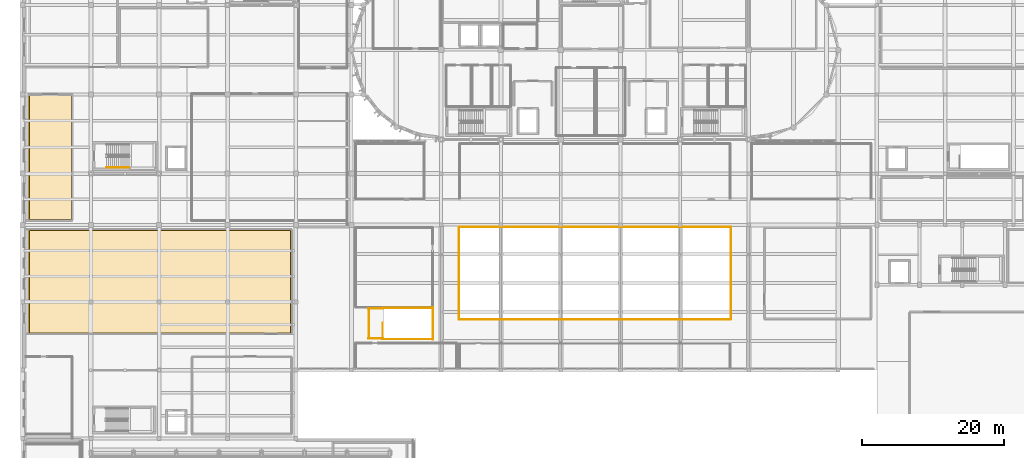
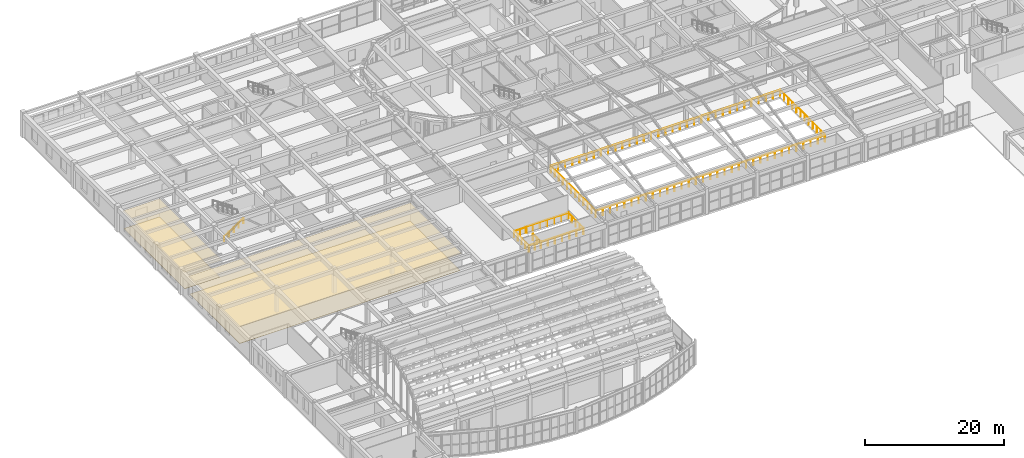
# One storey, part 82 of 91: 10 railings, 4 coverings.
"""IFC4 building model written with IfcOpenShell, lengths in metres."""

import ifcopenshell
import ifcopenshell.guid

model = None  # the IFC model being written
_history = None  # IfcOwnerHistory: only IFC2X3 demands one
_inside = {}  # id of a spatial element -> (the spatial element, [elements in it])
_under = {}  # id of a project, library or spatial element -> (it, [spatial elements below it])
_declared = {}  # id of a project -> (the project, [libraries it declares])
_typed = {}  # id of a type object -> (the type object, [elements of that type])
_made_of = {}  # id of a material, layer set ... -> (it, [elements and type objects made of it])


def new_model(schema):
    """Start an empty IFC model of exactly this schema.

    Asked for "IFC4X3", IfcOpenShell would pick the latest addendum, in which some entities
    have other attributes; the version numbers below select the first issue.
    IFC2X3 requires an IfcOwnerHistory on every rooted entity: one is made here for all.
    """
    global model, _history
    if schema == "IFC4X3":
        model = ifcopenshell.file(schema_version=(4, 3, 0, 0))
    else:
        model = ifcopenshell.file(schema=schema)
    _inside.clear()
    _under.clear()
    _declared.clear()
    _typed.clear()
    _made_of.clear()
    _history = None
    if model.schema == "IFC2X3":
        org = make("IfcOrganization", Name="unknown")
        user = make(
            "IfcPersonAndOrganization",
            ThePerson=make("IfcPerson", FamilyName="unknown"),
            TheOrganization=org,
        )
        app = make(
            "IfcApplication",
            ApplicationDeveloper=org,
            Version="unknown",
            ApplicationFullName="unknown",
            ApplicationIdentifier="unknown",
        )
        _history = make(
            "IfcOwnerHistory",
            OwningUser=user,
            OwningApplication=app,
            ChangeAction="ADDED",
            CreationDate=0,
        )
    return model


def make(cls, **values):
    """One entity of the class cls with the attributes given. An attribute that is None is left unset."""
    return model.create_entity(
        cls, **{name: value for name, value in values.items() if value is not None}
    )


def rooted(cls, **values):
    """An entity with a GlobalId (a new one), such as an element, a storey or a relation."""
    return make(cls, GlobalId=ifcopenshell.guid.new(), OwnerHistory=_history, **values)


def si_unit(unit_type, name, prefix=None):
    """IfcSIUnit, for example si_unit("LENGTHUNIT", "METRE", prefix="MILLI")."""
    return make("IfcSIUnit", UnitType=unit_type, Prefix=prefix, Name=name)


def assignment(units):
    """IfcUnitAssignment: the units of a project."""
    return None if units is None else make("IfcUnitAssignment", Units=units)


def point(xyz):
    """IfcCartesianPoint."""
    return None if xyz is None else make("IfcCartesianPoint", Coordinates=xyz)


def direction(xyz):
    """IfcDirection."""
    return None if xyz is None else make("IfcDirection", DirectionRatios=xyz)


def frame(location, z_axis=None, x_axis=None):
    """IfcAxis2Placement3D, a coordinate frame: its origin and axes. An axis left out is left unset."""
    return make(
        "IfcAxis2Placement3D",
        Location=point(location),
        Axis=direction(z_axis),
        RefDirection=direction(x_axis),
    )


def frame_2d(location, x_axis=None):
    """IfcAxis2Placement2D, a coordinate frame in the plane: its origin and x axis."""
    return make(
        "IfcAxis2Placement2D", Location=point(location), RefDirection=direction(x_axis)
    )


def origin():
    """The frame at (0, 0, 0) with its axes left unset."""
    return frame((0.0, 0.0, 0.0))


def origin_2d():
    """The frame at (0, 0) in the plane with its x axis left unset."""
    return frame_2d((0.0, 0.0))


def place(relative_to, where):
    """IfcLocalPlacement: puts the frame where relative to a parent placement (None: the world)."""
    return make(
        "IfcLocalPlacement", PlacementRelTo=relative_to, RelativePlacement=where
    )


def context(
    kind, dimensions, precision=None, world=None, true_north=None, identifier=None
):
    """IfcGeometricRepresentationContext, for example the 3D "Model" context."""
    return make(
        "IfcGeometricRepresentationContext",
        ContextIdentifier=identifier,
        ContextType=kind,
        CoordinateSpaceDimension=dimensions,
        Precision=precision,
        WorldCoordinateSystem=world,
        TrueNorth=true_north,
    )


def subcontext(parent, identifier, kind, view, scale=None):
    """IfcGeometricRepresentationSubContext, for example "Body" below "Model"."""
    return make(
        "IfcGeometricRepresentationSubContext",
        ContextIdentifier=identifier,
        ContextType=kind,
        ParentContext=parent,
        TargetScale=scale,
        TargetView=view,
    )


def project(units=None, contexts=None):
    """IfcProject with its units and contexts."""
    return rooted(
        "IfcProject",
        Name="project",
        RepresentationContexts=contexts,
        UnitsInContext=assignment(units),
    )


def spatial(cls, under=None, at=None, **own):
    """A site, building, storey or space (cls), placed at a placement, below another one or the project."""
    s = rooted(cls, ObjectPlacement=at, **own)
    if under is not None:
        _under.setdefault(under.id(), (under, []))[1].append(s)
    return s


def polyline(points):
    """IfcPolyline through the points."""
    return make("IfcPolyline", Points=[point(p) for p in points])


def profile(cls, at=None, kind="AREA", **sizes):
    """A parametric profile (cls). Its sizes go by their IFC names, for example OverallWidth=200.0."""
    return make(cls, ProfileType=kind, Position=at, **sizes)


def circle(**sizes):
    """IfcCircleProfileDef."""
    return profile("IfcCircleProfileDef", **sizes)


def outline(outer, holes=None, kind="AREA"):
    """IfcArbitraryClosedProfileDef: a profile drawn as a closed curve; with holes, ...WithVoids."""
    if holes is None:
        return make("IfcArbitraryClosedProfileDef", ProfileType=kind, OuterCurve=outer)
    return make(
        "IfcArbitraryProfileDefWithVoids",
        ProfileType=kind,
        OuterCurve=outer,
        InnerCurves=holes,
    )


def extrude(swept, where, along, depth):
    """IfcExtrudedAreaSolid: the profile swept, set in the frame where, extruded along a direction by depth."""
    return make(
        "IfcExtrudedAreaSolid",
        SweptArea=swept,
        Position=where,
        ExtrudedDirection=direction(along),
        Depth=depth,
    )


def shape(context_of_items, identifier, shape_type, items):
    """IfcShapeRepresentation: the items that make up one representation, for example the "Body"."""
    return make(
        "IfcShapeRepresentation",
        ContextOfItems=context_of_items,
        RepresentationIdentifier=identifier,
        RepresentationType=shape_type,
        Items=items,
    )


def material(Name=None, Category=None):
    """IfcMaterial."""
    return make("IfcMaterial", Name=Name, Category=Category)


def layer(
    of_material, thickness, ventilated=None, Name=None, Category=None, Priority=None
):
    """IfcMaterialLayer: one layer of a wall or slab, of a material (None: an air gap)."""
    return make(
        "IfcMaterialLayer",
        Material=of_material,
        LayerThickness=thickness,
        IsVentilated=ventilated,
        Name=Name,
        Category=Category,
        Priority=Priority,
    )


def layer_set(layers, Name=None):
    """IfcMaterialLayerSet."""
    return make("IfcMaterialLayerSet", MaterialLayers=layers, LayerSetName=Name)


def made_of(thing, what):
    """Note that an element or type object is made of a material, layer set ...; save() writes the relation."""
    if what is not None:
        _made_of.setdefault(what.id(), (what, []))[1].append(thing)
    return thing


def type_object(cls, material=None, **own):
    """A type object (cls), such as IfcWallType, which elements share."""
    return made_of(rooted(cls, **own), material)


def element(
    cls,
    number,
    at=None,
    inside=None,
    cuts=None,
    type_object=None,
    material=None,
    context=None,
    identifier="Body",
    shape_type=None,
    held_by="IfcProductDefinitionShape",
    body=None,
    shapes=None,
    **own,
):
    """One element of the class cls, such as IfcWall. Its Tag is "e" and its number.

    at: its placement. inside: the storey or other place that contains it. cuts: it is an
    opening in that element (IfcRelVoidsElement). A single representation is given by context,
    identifier, shape_type and body (its items); several are given by shapes. held_by: the class
    of the entity that holds the representations. save() writes the other relations.
    """
    e = rooted(cls, Tag="e%d" % number, ObjectPlacement=at, **own)
    if body is not None:
        shapes = [shape(context, identifier, shape_type, body)]
    if shapes is not None:
        e.Representation = make(held_by, Representations=shapes)
    if inside is not None:
        _inside.setdefault(inside.id(), (inside, []))[1].append(e)
    if cuts is not None:
        rooted(
            "IfcRelVoidsElement", RelatingBuildingElement=cuts, RelatedOpeningElement=e
        )
    if type_object is not None:
        _typed.setdefault(type_object.id(), (type_object, []))[1].append(e)
    return made_of(e, material)


def aggregate(whole, parts):
    """IfcRelAggregates: a whole, such as a stair, and the parts it consists of."""
    return rooted("IfcRelAggregates", RelatingObject=whole, RelatedObjects=parts)


def save(model, path):
    """Write the relations noted so far, then the file.

    IfcRelAggregates (storeys below a building ...), IfcRelContainedInSpatialStructure (elements
    in a storey), IfcRelDefinesByType, IfcRelAssociatesMaterial and IfcRelDeclares: one each for
    every whole, place, type object, material and project.
    """
    for whole, parts in _under.values():
        aggregate(whole, parts)
    for where, things in _inside.values():
        rooted(
            "IfcRelContainedInSpatialStructure",
            RelatedElements=things,
            RelatingStructure=where,
        )
    for kind, things in _typed.values():
        rooted("IfcRelDefinesByType", RelatedObjects=things, RelatingType=kind)
    for what, things in _made_of.values():
        rooted("IfcRelAssociatesMaterial", RelatedObjects=things, RelatingMaterial=what)
    for by, libraries in _declared.values():
        rooted("IfcRelDeclares", RelatingContext=by, RelatedDefinitions=libraries)
    model.write(path)


model = new_model("IFC4")

# Units and contexts
model_context = context("Model", 3, precision=1e-05, world=origin(), true_north=direction((0.0, 1.0)))
body_context = subcontext(model_context, "Body", "Model", "MODEL_VIEW")
ifc_project = project(units=[si_unit("LENGTHUNIT", "METRE"), si_unit("AREAUNIT", "SQUARE_METRE"), si_unit("VOLUMEUNIT", "CUBIC_METRE"), si_unit("PLANEANGLEUNIT", "RADIAN"), si_unit("MASSUNIT", "GRAM", prefix="KILO")], contexts=[model_context])

# Site, building, storey
site_placement = place(None, origin())
site = spatial("IfcSite", under=ifc_project, at=site_placement, CompositionType="ELEMENT")
building_placement = place(site_placement, origin())
building = spatial("IfcBuilding", under=site, at=building_placement, Name="Tarnavel Promenade Courthouse", CompositionType="ELEMENT")
storey_placement = place(building_placement, frame((0.0, 0.0, 9.89990234375)))
storey = spatial("IfcBuildingStorey", under=building, at=storey_placement, Name="L03", CompositionType="ELEMENT", Elevation=9.89990234375)

# Railing
ifc_material_1 = material(Name="Brushed Bronze Tubular Stair Handrail")
railing_type_1 = type_object("IfcRailingType", Name="Brushed Bronze Tubular Stair Handrail (RL-HND-0900)", PredefinedType="HANDRAIL", material=ifc_material_1)
railing_1_placement = place(storey_placement, frame((11.780029296875, 75.25, 0.1875)))
element("IfcRailing", 1, at=railing_1_placement, inside=storey, type_object=railing_type_1, Name="L03 ST-04 stair handrail 1", PredefinedType="HANDRAIL", context=body_context, shape_type="SweptSolid", body=[
    extrude(circle(Radius=0.02392578125, at=origin_2d()), frame((0.0, 0.0, 0.8759765625), z_axis=(0.839759782654, 0.0, 0.542958108362), x_axis=(0.0, 1.0, 0.0)), (0.0, 0.0, 1.0), 3.798583984375),
    extrude(circle(Radius=0.02099609375, at=origin_2d()), origin(), (0.0, 0.0, 1.0), 0.851806640625),
    extrude(circle(Radius=0.02099609375, at=origin_2d()), frame((0.79736328125, 0.0, 0.515625)), (0.0, 0.0, 1.0), 0.851806640625),
    extrude(circle(Radius=0.02099609375, at=origin_2d()), frame((1.594970703125, 0.0, 1.03125)), (0.0, 0.0, 1.0), 0.851806640625),
    extrude(circle(Radius=0.02099609375, at=origin_2d()), frame((2.392578125, 0.0, 1.546875)), (0.0, 0.0, 1.0), 0.851806640625),
    extrude(circle(Radius=0.02099609375, at=origin_2d()), frame((3.18994140625, 0.0, 2.0625)), (0.0, 0.0, 1.0), 0.851806640625),
])

# Coverings
ifc_material_2 = material(Name="Engineered Smoked Oak Courtroom & Chambers Parquet")
ifc_layer_1 = layer(ifc_material_2, 0.031982421875)
ifc_layer_set_1 = layer_set([ifc_layer_1], Name="Engineered Smoked Oak Courtroom & Chambers Parquet")
covering_type_1 = type_object("IfcCoveringType", Name="Engineered Smoked Oak Courtroom & Chambers Parquet (COV-FLR-OAK-32)", PredefinedType="FLOORING", material=ifc_layer_set_1)
covering_1_placement = place(storey_placement, origin())
element("IfcCovering", 2, at=covering_1_placement, inside=storey, type_object=covering_type_1, Name="L03 Criminal Trial Courtroom C Architectural Flooring 0018", PredefinedType="FLOORING", context=body_context, shape_type="SweptSolid", body=[
    extrude(outline(polyline([(0.949951171875, 67.949951171875), (6.85009765625, 67.949951171875), (6.85009765625, 85.449951171875), (0.949951171875, 85.449951171875), (0.949951171875, 67.949951171875)])), origin(), (0.0, 0.0, 1.0), 0.031982421875),
])
ifc_material_3 = material(Name="Honed Khoriatis Marble and Terrazzo Civic Flooring", Category="masonry")
ifc_layer_2 = layer(ifc_material_3, 0.0400390625)
ifc_layer_set_2 = layer_set([ifc_layer_2], Name="Honed Khoriatis Marble and Terrazzo Civic Flooring")
covering_type_2 = type_object("IfcCoveringType", Name="Honed Khoriatis Marble and Terrazzo Civic Flooring (COV-FLR-TRZ-40)", PredefinedType="FLOORING", material=ifc_layer_set_2)
covering_2_placement = place(storey_placement, origin())
element("IfcCovering", 3, at=covering_2_placement, inside=storey, type_object=covering_type_2, Name="L03 Law Library Book Stacks Case Reports Architectural Flooring 0019", PredefinedType="FLOORING", context=body_context, shape_type="SweptSolid", body=[
    extrude(outline(polyline([(0.949951171875, 52.050048828125), (37.64990234375, 52.050048828125), (37.64990234375, 66.449951171875), (0.949951171875, 66.449951171875), (0.949951171875, 52.050048828125)])), origin(), (0.0, 0.0, 1.0), 0.0400390625),
])

# Railings
ifc_material_4 = material(Name="Laminated Glass and Bronze Concourse Gallery Balustrade", Category="glass")
railing_type_2 = type_object("IfcRailingType", Name="Laminated Glass and Bronze Concourse Gallery Balustrade (RL-BAL-1180)", PredefinedType="BALUSTRADE", material=ifc_material_4)
railing_2_placement = place(storey_placement, frame((61.300048828125, 66.860107421875, 0.0)))
element("IfcRailing", 4, at=railing_2_placement, inside=storey, type_object=railing_type_2, Name="L03 Winter-Garden Atrium Balustrade South-West Run", PredefinedType="BALUSTRADE", context=body_context, shape_type="SweptSolid", body=[
    extrude(circle(Radius=0.02392578125, at=origin_2d()), frame((0.0, 0.0, 1.15576171875), z_axis=(0.0, -1.0, 0.0), x_axis=(1.0, 0.0, 0.0)), (0.0, 0.0, 1.0), 12.960205078125),
    extrude(circle(Radius=0.02392578125, at=origin_2d()), frame((0.0, -12.960205078125, 1.15576171875), z_axis=(1.0, 0.0, 0.0), x_axis=(0.0, 1.0, 0.0)), (0.0, 0.0, 1.0), 38.159912109375),
    extrude(circle(Radius=0.02099609375, at=origin_2d()), origin(), (0.0, 0.0, 1.0), 1.1318359375),
    extrude(circle(Radius=0.02099609375, at=origin_2d()), frame((0.0, -1.17822265625, 0.0)), (0.0, 0.0, 1.0), 1.1318359375),
    extrude(circle(Radius=0.02099609375, at=origin_2d()), frame((0.0, -2.3564453125, 0.0)), (0.0, 0.0, 1.0), 1.1318359375),
    extrude(circle(Radius=0.02099609375, at=origin_2d()), frame((0.0, -3.53466796875, 0.0)), (0.0, 0.0, 1.0), 1.1318359375),
    extrude(circle(Radius=0.02099609375, at=origin_2d()), frame((0.0, -4.712890625, 0.0)), (0.0, 0.0, 1.0), 1.1318359375),
    extrude(circle(Radius=0.02099609375, at=origin_2d()), frame((0.0, -5.89111328125, 0.0)), (0.0, 0.0, 1.0), 1.1318359375),
    extrude(circle(Radius=0.02099609375, at=origin_2d()), frame((0.0, -7.069091796875, 0.0)), (0.0, 0.0, 1.0), 1.1318359375),
    extrude(circle(Radius=0.02099609375, at=origin_2d()), frame((0.0, -8.247314453125, 0.0)), (0.0, 0.0, 1.0), 1.1318359375),
    extrude(circle(Radius=0.02099609375, at=origin_2d()), frame((0.0, -9.425537109375, 0.0)), (0.0, 0.0, 1.0), 1.1318359375),
    extrude(circle(Radius=0.02099609375, at=origin_2d()), frame((0.0, -10.603759765625, 0.0)), (0.0, 0.0, 1.0), 1.1318359375),
    extrude(circle(Radius=0.02099609375, at=origin_2d()), frame((0.0, -11.781982421875, 0.0)), (0.0, 0.0, 1.0), 1.1318359375),
    extrude(circle(Radius=0.02099609375, at=origin_2d()), frame((0.0, -12.960205078125, 0.0)), (0.0, 0.0, 1.0), 1.1318359375),
    extrude(circle(Radius=0.02099609375, at=origin_2d()), frame((1.1923828125, -12.960205078125, 0.0)), (0.0, 0.0, 1.0), 1.1318359375),
    extrude(circle(Radius=0.02099609375, at=origin_2d()), frame((2.385009765625, -12.960205078125, 0.0)), (0.0, 0.0, 1.0), 1.1318359375),
    extrude(circle(Radius=0.02099609375, at=origin_2d()), frame((3.577392578125, -12.960205078125, 0.0)), (0.0, 0.0, 1.0), 1.1318359375),
    extrude(circle(Radius=0.02099609375, at=origin_2d()), frame((4.77001953125, -12.960205078125, 0.0)), (0.0, 0.0, 1.0), 1.1318359375),
    extrude(circle(Radius=0.02099609375, at=origin_2d()), frame((5.96240234375, -12.960205078125, 0.0)), (0.0, 0.0, 1.0), 1.1318359375),
    extrude(circle(Radius=0.02099609375, at=origin_2d()), frame((7.155029296875, -12.960205078125, 0.0)), (0.0, 0.0, 1.0), 1.1318359375),
    extrude(circle(Radius=0.02099609375, at=origin_2d()), frame((8.347412109375, -12.960205078125, 0.0)), (0.0, 0.0, 1.0), 1.1318359375),
    extrude(circle(Radius=0.02099609375, at=origin_2d()), frame((9.5400390625, -12.960205078125, 0.0)), (0.0, 0.0, 1.0), 1.1318359375),
    extrude(circle(Radius=0.02099609375, at=origin_2d()), frame((10.732421875, -12.960205078125, 0.0)), (0.0, 0.0, 1.0), 1.1318359375),
    extrude(circle(Radius=0.02099609375, at=origin_2d()), frame((11.925048828125, -12.960205078125, 0.0)), (0.0, 0.0, 1.0), 1.1318359375),
    extrude(circle(Radius=0.02099609375, at=origin_2d()), frame((13.117431640625, -12.960205078125, 0.0)), (0.0, 0.0, 1.0), 1.1318359375),
    extrude(circle(Radius=0.02099609375, at=origin_2d()), frame((14.31005859375, -12.960205078125, 0.0)), (0.0, 0.0, 1.0), 1.1318359375),
    extrude(circle(Radius=0.02099609375, at=origin_2d()), frame((15.50244140625, -12.960205078125, 0.0)), (0.0, 0.0, 1.0), 1.1318359375),
    extrude(circle(Radius=0.02099609375, at=origin_2d()), frame((16.695068359375, -12.960205078125, 0.0)), (0.0, 0.0, 1.0), 1.1318359375),
    extrude(circle(Radius=0.02099609375, at=origin_2d()), frame((17.887451171875, -12.960205078125, 0.0)), (0.0, 0.0, 1.0), 1.1318359375),
    extrude(circle(Radius=0.02099609375, at=origin_2d()), frame((19.080078125, -12.960205078125, 0.0)), (0.0, 0.0, 1.0), 1.1318359375),
    extrude(circle(Radius=0.02099609375, at=origin_2d()), frame((20.2724609375, -12.960205078125, 0.0)), (0.0, 0.0, 1.0), 1.1318359375),
    extrude(circle(Radius=0.02099609375, at=origin_2d()), frame((21.46484375, -12.960205078125, 0.0)), (0.0, 0.0, 1.0), 1.1318359375),
    extrude(circle(Radius=0.02099609375, at=origin_2d()), frame((22.657470703125, -12.960205078125, 0.0)), (0.0, 0.0, 1.0), 1.1318359375),
    extrude(circle(Radius=0.02099609375, at=origin_2d()), frame((23.849853515625, -12.960205078125, 0.0)), (0.0, 0.0, 1.0), 1.1318359375),
    extrude(circle(Radius=0.02099609375, at=origin_2d()), frame((25.04248046875, -12.960205078125, 0.0)), (0.0, 0.0, 1.0), 1.1318359375),
    extrude(circle(Radius=0.02099609375, at=origin_2d()), frame((26.23486328125, -12.960205078125, 0.0)), (0.0, 0.0, 1.0), 1.1318359375),
    extrude(circle(Radius=0.02099609375, at=origin_2d()), frame((27.427490234375, -12.960205078125, 0.0)), (0.0, 0.0, 1.0), 1.1318359375),
    extrude(circle(Radius=0.02099609375, at=origin_2d()), frame((28.619873046875, -12.960205078125, 0.0)), (0.0, 0.0, 1.0), 1.1318359375),
    extrude(circle(Radius=0.02099609375, at=origin_2d()), frame((29.8125, -12.960205078125, 0.0)), (0.0, 0.0, 1.0), 1.1318359375),
    extrude(circle(Radius=0.02099609375, at=origin_2d()), frame((31.0048828125, -12.960205078125, 0.0)), (0.0, 0.0, 1.0), 1.1318359375),
    extrude(circle(Radius=0.02099609375, at=origin_2d()), frame((32.197509765625, -12.960205078125, 0.0)), (0.0, 0.0, 1.0), 1.1318359375),
    extrude(circle(Radius=0.02099609375, at=origin_2d()), frame((33.389892578125, -12.960205078125, 0.0)), (0.0, 0.0, 1.0), 1.1318359375),
    extrude(circle(Radius=0.02099609375, at=origin_2d()), frame((34.58251953125, -12.960205078125, 0.0)), (0.0, 0.0, 1.0), 1.1318359375),
    extrude(circle(Radius=0.02099609375, at=origin_2d()), frame((35.77490234375, -12.960205078125, 0.0)), (0.0, 0.0, 1.0), 1.1318359375),
    extrude(circle(Radius=0.02099609375, at=origin_2d()), frame((36.967529296875, -12.960205078125, 0.0)), (0.0, 0.0, 1.0), 1.1318359375),
    extrude(circle(Radius=0.02099609375, at=origin_2d()), frame((38.159912109375, -12.960205078125, 0.0)), (0.0, 0.0, 1.0), 1.1318359375),
])
railing_3_placement = place(storey_placement, frame((61.340087890625, 66.89990234375, 0.0)))
element("IfcRailing", 5, at=railing_3_placement, inside=storey, type_object=railing_type_2, Name="L03 Winter-Garden Atrium Balustrade North-East Run", PredefinedType="BALUSTRADE", context=body_context, shape_type="SweptSolid", body=[
    extrude(circle(Radius=0.02392578125, at=origin_2d()), frame((0.0, 0.0, 1.15576171875), z_axis=(1.0, 0.0, 0.0), x_axis=(0.0, 1.0, 0.0)), (0.0, 0.0, 1.0), 38.159912109375),
    extrude(circle(Radius=0.02392578125, at=origin_2d()), frame((38.159912109375, 0.0, 1.15576171875), z_axis=(0.0, -1.0, 0.0), x_axis=(1.0, 0.0, 0.0)), (0.0, 0.0, 1.0), 12.9599609375),
    extrude(circle(Radius=0.02099609375, at=origin_2d()), origin(), (0.0, 0.0, 1.0), 1.1318359375),
    extrude(circle(Radius=0.02099609375, at=origin_2d()), frame((1.1923828125, 0.0, 0.0)), (0.0, 0.0, 1.0), 1.1318359375),
    extrude(circle(Radius=0.02099609375, at=origin_2d()), frame((2.385009765625, 0.0, 0.0)), (0.0, 0.0, 1.0), 1.1318359375),
    extrude(circle(Radius=0.02099609375, at=origin_2d()), frame((3.577392578125, 0.0, 0.0)), (0.0, 0.0, 1.0), 1.1318359375),
    extrude(circle(Radius=0.02099609375, at=origin_2d()), frame((4.77001953125, 0.0, 0.0)), (0.0, 0.0, 1.0), 1.1318359375),
    extrude(circle(Radius=0.02099609375, at=origin_2d()), frame((5.96240234375, 0.0, 0.0)), (0.0, 0.0, 1.0), 1.1318359375),
    extrude(circle(Radius=0.02099609375, at=origin_2d()), frame((7.155029296875, 0.0, 0.0)), (0.0, 0.0, 1.0), 1.1318359375),
    extrude(circle(Radius=0.02099609375, at=origin_2d()), frame((8.347412109375, 0.0, 0.0)), (0.0, 0.0, 1.0), 1.1318359375),
    extrude(circle(Radius=0.02099609375, at=origin_2d()), frame((9.5400390625, 0.0, 0.0)), (0.0, 0.0, 1.0), 1.1318359375),
    extrude(circle(Radius=0.02099609375, at=origin_2d()), frame((10.732421875, 0.0, 0.0)), (0.0, 0.0, 1.0), 1.1318359375),
    extrude(circle(Radius=0.02099609375, at=origin_2d()), frame((11.925048828125, 0.0, 0.0)), (0.0, 0.0, 1.0), 1.1318359375),
    extrude(circle(Radius=0.02099609375, at=origin_2d()), frame((13.117431640625, 0.0, 0.0)), (0.0, 0.0, 1.0), 1.1318359375),
    extrude(circle(Radius=0.02099609375, at=origin_2d()), frame((14.31005859375, 0.0, 0.0)), (0.0, 0.0, 1.0), 1.1318359375),
    extrude(circle(Radius=0.02099609375, at=origin_2d()), frame((15.50244140625, 0.0, 0.0)), (0.0, 0.0, 1.0), 1.1318359375),
    extrude(circle(Radius=0.02099609375, at=origin_2d()), frame((16.695068359375, 0.0, 0.0)), (0.0, 0.0, 1.0), 1.1318359375),
    extrude(circle(Radius=0.02099609375, at=origin_2d()), frame((17.887451171875, 0.0, 0.0)), (0.0, 0.0, 1.0), 1.1318359375),
    extrude(circle(Radius=0.02099609375, at=origin_2d()), frame((19.080078125, 0.0, 0.0)), (0.0, 0.0, 1.0), 1.1318359375),
    extrude(circle(Radius=0.02099609375, at=origin_2d()), frame((20.2724609375, 0.0, 0.0)), (0.0, 0.0, 1.0), 1.1318359375),
    extrude(circle(Radius=0.02099609375, at=origin_2d()), frame((21.46484375, 0.0, 0.0)), (0.0, 0.0, 1.0), 1.1318359375),
    extrude(circle(Radius=0.02099609375, at=origin_2d()), frame((22.657470703125, 0.0, 0.0)), (0.0, 0.0, 1.0), 1.1318359375),
    extrude(circle(Radius=0.02099609375, at=origin_2d()), frame((23.849853515625, 0.0, 0.0)), (0.0, 0.0, 1.0), 1.1318359375),
    extrude(circle(Radius=0.02099609375, at=origin_2d()), frame((25.04248046875, 0.0, 0.0)), (0.0, 0.0, 1.0), 1.1318359375),
    extrude(circle(Radius=0.02099609375, at=origin_2d()), frame((26.23486328125, 0.0, 0.0)), (0.0, 0.0, 1.0), 1.1318359375),
    extrude(circle(Radius=0.02099609375, at=origin_2d()), frame((27.427490234375, 0.0, 0.0)), (0.0, 0.0, 1.0), 1.1318359375),
    extrude(circle(Radius=0.02099609375, at=origin_2d()), frame((28.619873046875, 0.0, 0.0)), (0.0, 0.0, 1.0), 1.1318359375),
    extrude(circle(Radius=0.02099609375, at=origin_2d()), frame((29.8125, 0.0, 0.0)), (0.0, 0.0, 1.0), 1.1318359375),
    extrude(circle(Radius=0.02099609375, at=origin_2d()), frame((31.0048828125, 0.0, 0.0)), (0.0, 0.0, 1.0), 1.1318359375),
    extrude(circle(Radius=0.02099609375, at=origin_2d()), frame((32.197509765625, 0.0, 0.0)), (0.0, 0.0, 1.0), 1.1318359375),
    extrude(circle(Radius=0.02099609375, at=origin_2d()), frame((33.389892578125, 0.0, 0.0)), (0.0, 0.0, 1.0), 1.1318359375),
    extrude(circle(Radius=0.02099609375, at=origin_2d()), frame((34.58251953125, 0.0, 0.0)), (0.0, 0.0, 1.0), 1.1318359375),
    extrude(circle(Radius=0.02099609375, at=origin_2d()), frame((35.77490234375, 0.0, 0.0)), (0.0, 0.0, 1.0), 1.1318359375),
    extrude(circle(Radius=0.02099609375, at=origin_2d()), frame((36.967529296875, 0.0, 0.0)), (0.0, 0.0, 1.0), 1.1318359375),
    extrude(circle(Radius=0.02099609375, at=origin_2d()), frame((38.159912109375, 0.0, 0.0)), (0.0, 0.0, 1.0), 1.1318359375),
    extrude(circle(Radius=0.02099609375, at=origin_2d()), frame((38.159912109375, -1.17822265625, 0.0)), (0.0, 0.0, 1.0), 1.1318359375),
    extrude(circle(Radius=0.02099609375, at=origin_2d()), frame((38.159912109375, -2.3564453125, 0.0)), (0.0, 0.0, 1.0), 1.1318359375),
    extrude(circle(Radius=0.02099609375, at=origin_2d()), frame((38.159912109375, -3.534423828125, 0.0)), (0.0, 0.0, 1.0), 1.1318359375),
    extrude(circle(Radius=0.02099609375, at=origin_2d()), frame((38.159912109375, -4.712646484375, 0.0)), (0.0, 0.0, 1.0), 1.1318359375),
    extrude(circle(Radius=0.02099609375, at=origin_2d()), frame((38.159912109375, -5.890869140625, 0.0)), (0.0, 0.0, 1.0), 1.1318359375),
    extrude(circle(Radius=0.02099609375, at=origin_2d()), frame((38.159912109375, -7.069091796875, 0.0)), (0.0, 0.0, 1.0), 1.1318359375),
    extrude(circle(Radius=0.02099609375, at=origin_2d()), frame((38.159912109375, -8.247314453125, 0.0)), (0.0, 0.0, 1.0), 1.1318359375),
    extrude(circle(Radius=0.02099609375, at=origin_2d()), frame((38.159912109375, -9.425537109375, 0.0)), (0.0, 0.0, 1.0), 1.1318359375),
    extrude(circle(Radius=0.02099609375, at=origin_2d()), frame((38.159912109375, -10.603515625, 0.0)), (0.0, 0.0, 1.0), 1.1318359375),
    extrude(circle(Radius=0.02099609375, at=origin_2d()), frame((38.159912109375, -11.78173828125, 0.0)), (0.0, 0.0, 1.0), 1.1318359375),
    extrude(circle(Radius=0.02099609375, at=origin_2d()), frame((38.159912109375, -12.9599609375, 0.0)), (0.0, 0.0, 1.0), 1.1318359375),
])
ifc_material_5 = material(Name="Painted Architectural Steel Stair & Atrium Guardrail", Category="steel")
railing_type_3 = type_object("IfcRailingType", Name="Painted Architectural Steel Stair & Atrium Guardrail (RL-GRD-1120)", PredefinedType="GUARDRAIL", material=ifc_material_5)
railing_4_placement = place(storey_placement, frame((50.60009765625, 51.199951171875, 0.0)))
element("IfcRailing", 6, at=railing_4_placement, inside=storey, type_object=railing_type_3, Name="L03 ST-10 top well guard 1", PredefinedType="GUARDRAIL", context=body_context, shape_type="SweptSolid", body=[
    extrude(circle(Radius=0.02392578125, at=origin_2d()), frame((0.0, 0.0, 1.076171875), z_axis=(0.0, 1.0, 0.0), x_axis=(-1.0, 0.0, 0.0)), (0.0, 0.0, 1.0), 2.25),
    extrude(circle(Radius=0.02099609375, at=origin_2d()), origin(), (0.0, 0.0, 1.0), 1.052001953125),
    extrude(circle(Radius=0.02099609375, at=origin_2d()), frame((0.0, 1.125, 0.0)), (0.0, 0.0, 1.0), 1.052001953125),
    extrude(circle(Radius=0.02099609375, at=origin_2d()), frame((0.0, 2.25, 0.0)), (0.0, 0.0, 1.0), 1.052001953125),
])
for number, where, name in (
    (7, (50.550048828125, 51.14990234375, 0.0), "L03 ST-10 top well guard 2"),
    (8, (50.550048828125, 55.550048828125, 0.0), "L03 ST-10 top well guard 3"),
):
    element("IfcRailing", number, at=place(storey_placement, frame(where)), inside=storey, type_object=railing_type_3, Name=name, PredefinedType="GUARDRAIL", context=body_context, shape_type="SweptSolid", body=[
        extrude(circle(Radius=0.02392578125, at=origin_2d()), frame((0.0, 0.0, 1.076171875), z_axis=(1.0, 0.0, 0.0), x_axis=(0.0, 1.0, 0.0)), (0.0, 0.0, 1.0), 7.14990234375),
        extrude(circle(Radius=0.02099609375, at=origin_2d()), origin(), (0.0, 0.0, 1.0), 1.052001953125),
        extrude(circle(Radius=0.02099609375, at=origin_2d()), frame((1.191650390625, 0.0, 0.0)), (0.0, 0.0, 1.0), 1.052001953125),
        extrude(circle(Radius=0.02099609375, at=origin_2d()), frame((2.38330078125, 0.0, 0.0)), (0.0, 0.0, 1.0), 1.052001953125),
        extrude(circle(Radius=0.02099609375, at=origin_2d()), frame((3.574951171875, 0.0, 0.0)), (0.0, 0.0, 1.0), 1.052001953125),
        extrude(circle(Radius=0.02099609375, at=origin_2d()), frame((4.7666015625, 0.0, 0.0)), (0.0, 0.0, 1.0), 1.052001953125),
        extrude(circle(Radius=0.02099609375, at=origin_2d()), frame((5.958251953125, 0.0, 0.0)), (0.0, 0.0, 1.0), 1.052001953125),
        extrude(circle(Radius=0.02099609375, at=origin_2d()), frame((7.14990234375, 0.0, 0.0)), (0.0, 0.0, 1.0), 1.052001953125),
    ])
railing_5_placement = place(storey_placement, frame((57.64990234375, 51.10009765625, 0.0)))
element("IfcRailing", 9, at=railing_5_placement, inside=storey, type_object=railing_type_3, Name="L03 ST-10 top well guard 4", PredefinedType="GUARDRAIL", context=body_context, shape_type="SweptSolid", body=[
    extrude(circle(Radius=0.02392578125, at=origin_2d()), frame((0.0, 0.0, 1.076171875), z_axis=(0.0, 1.0, 0.0), x_axis=(-1.0, 0.0, 0.0)), (0.0, 0.0, 1.0), 4.5),
    extrude(circle(Radius=0.02099609375, at=origin_2d()), origin(), (0.0, 0.0, 1.0), 1.052001953125),
    extrude(circle(Radius=0.02099609375, at=origin_2d()), frame((0.0, 1.125, 0.0)), (0.0, 0.0, 1.0), 1.052001953125),
    extrude(circle(Radius=0.02099609375, at=origin_2d()), frame((0.0, 2.25, 0.0)), (0.0, 0.0, 1.0), 1.052001953125),
    extrude(circle(Radius=0.02099609375, at=origin_2d()), frame((0.0, 3.375, 0.0)), (0.0, 0.0, 1.0), 1.052001953125),
    extrude(circle(Radius=0.02099609375, at=origin_2d()), frame((0.0, 4.5, 0.0)), (0.0, 0.0, 1.0), 1.052001953125),
])
for number, where, name in (
    (10, (48.60009765625, 51.25, 0.0), "L03 ST-10 top well guard 5"),
    (11, (48.60009765625, 55.449951171875, 0.0), "L03 ST-10 top well guard 6"),
):
    element("IfcRailing", number, at=place(storey_placement, frame(where)), inside=storey, type_object=railing_type_3, Name=name, PredefinedType="GUARDRAIL", context=body_context, shape_type="SweptSolid", body=[
        extrude(circle(Radius=0.02392578125, at=origin_2d()), frame((0.0, 0.0, 1.076171875), z_axis=(1.0, 0.0, 0.0), x_axis=(0.0, 1.0, 0.0)), (0.0, 0.0, 1.0), 2.0498046875),
        extrude(circle(Radius=0.02099609375, at=origin_2d()), origin(), (0.0, 0.0, 1.0), 1.052001953125),
        extrude(circle(Radius=0.02099609375, at=origin_2d()), frame((1.02490234375, 0.0, 0.0)), (0.0, 0.0, 1.0), 1.052001953125),
        extrude(circle(Radius=0.02099609375, at=origin_2d()), frame((2.0498046875, 0.0, 0.0)), (0.0, 0.0, 1.0), 1.052001953125),
    ])
railing_6_placement = place(storey_placement, frame((48.64990234375, 51.199951171875, 0.0)))
element("IfcRailing", 12, at=railing_6_placement, inside=storey, type_object=railing_type_3, Name="L03 ST-10 top well guard 7", PredefinedType="GUARDRAIL", context=body_context, shape_type="SweptSolid", body=[
    extrude(circle(Radius=0.02392578125, at=origin_2d()), frame((0.0, 0.0, 1.076171875), z_axis=(0.0, 1.0, 0.0), x_axis=(-1.0, 0.0, 0.0)), (0.0, 0.0, 1.0), 4.300048828125),
    extrude(circle(Radius=0.02099609375, at=origin_2d()), origin(), (0.0, 0.0, 1.0), 1.052001953125),
    extrude(circle(Radius=0.02099609375, at=origin_2d()), frame((0.0, 1.074951171875, 0.0)), (0.0, 0.0, 1.0), 1.052001953125),
    extrude(circle(Radius=0.02099609375, at=origin_2d()), frame((0.0, 2.14990234375, 0.0)), (0.0, 0.0, 1.0), 1.052001953125),
    extrude(circle(Radius=0.02099609375, at=origin_2d()), frame((0.0, 3.22509765625, 0.0)), (0.0, 0.0, 1.0), 1.052001953125),
    extrude(circle(Radius=0.02099609375, at=origin_2d()), frame((0.0, 4.300048828125, 0.0)), (0.0, 0.0, 1.0), 1.052001953125),
])

# Coverings
ifc_material_6 = material(Name="Slatted Acoustic White Oak Baffle Ceiling")
ifc_layer_3 = layer(ifc_material_6, 0.06494140625)
ifc_layer_set_3 = layer_set([ifc_layer_3], Name="Slatted Acoustic White Oak Baffle Ceiling")
covering_type_3 = type_object("IfcCoveringType", Name="Slatted Acoustic White Oak Baffle Ceiling (COV-CLG-OAK-65)", PredefinedType="CEILING", material=ifc_layer_set_3)
covering_3_placement = place(storey_placement, frame((0.0, 0.0, 3.03515625)))
element("IfcCovering", 13, at=covering_3_placement, inside=storey, type_object=covering_type_3, Name="L03 Criminal Trial Courtroom C Acoustic Ceiling 0018", PredefinedType="CEILING", context=body_context, shape_type="SweptSolid", body=[
    extrude(outline(polyline([(0.800048828125, 67.800048828125), (7.0, 67.800048828125), (7.0, 85.60009765625), (0.800048828125, 85.60009765625), (0.800048828125, 67.800048828125)])), origin(), (0.0, 0.0, 1.0), 0.06494140625),
])
covering_4_placement = place(storey_placement, frame((0.0, 0.0, 3.03515625)))
element("IfcCovering", 14, at=covering_4_placement, inside=storey, type_object=covering_type_3, Name="L03 Law Library Book Stacks Case Reports Acoustic Ceiling 0019", PredefinedType="CEILING", context=body_context, shape_type="SweptSolid", body=[
    extrude(outline(polyline([(0.800048828125, 51.89990234375), (37.800048828125, 51.89990234375), (37.800048828125, 66.60009765625), (0.800048828125, 66.60009765625), (0.800048828125, 51.89990234375)])), origin(), (0.0, 0.0, 1.0), 0.06494140625),
])

save(model, "model.ifc")
